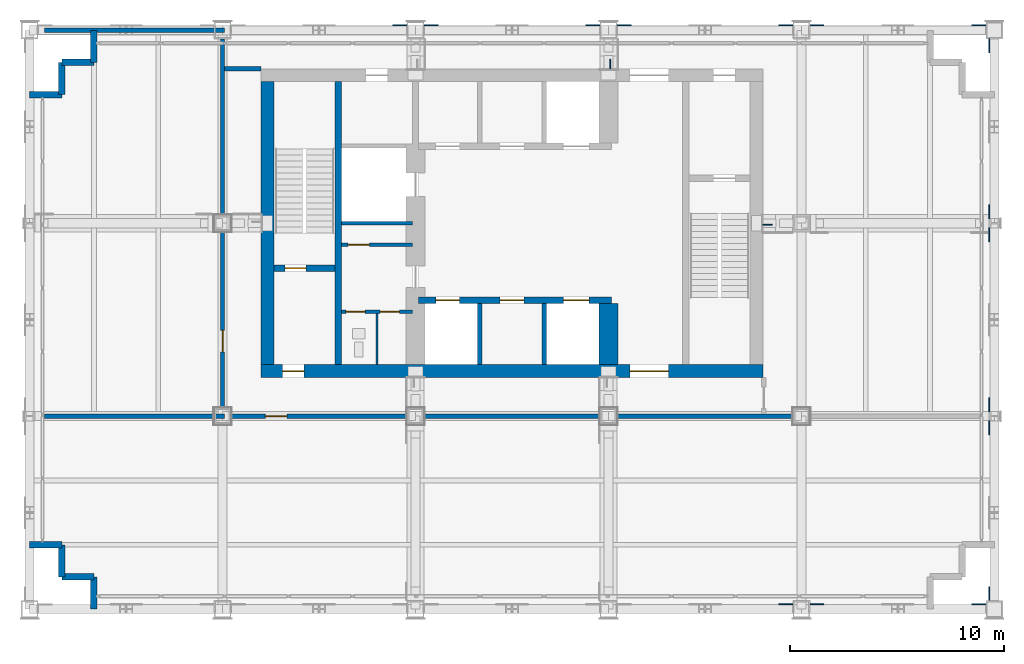
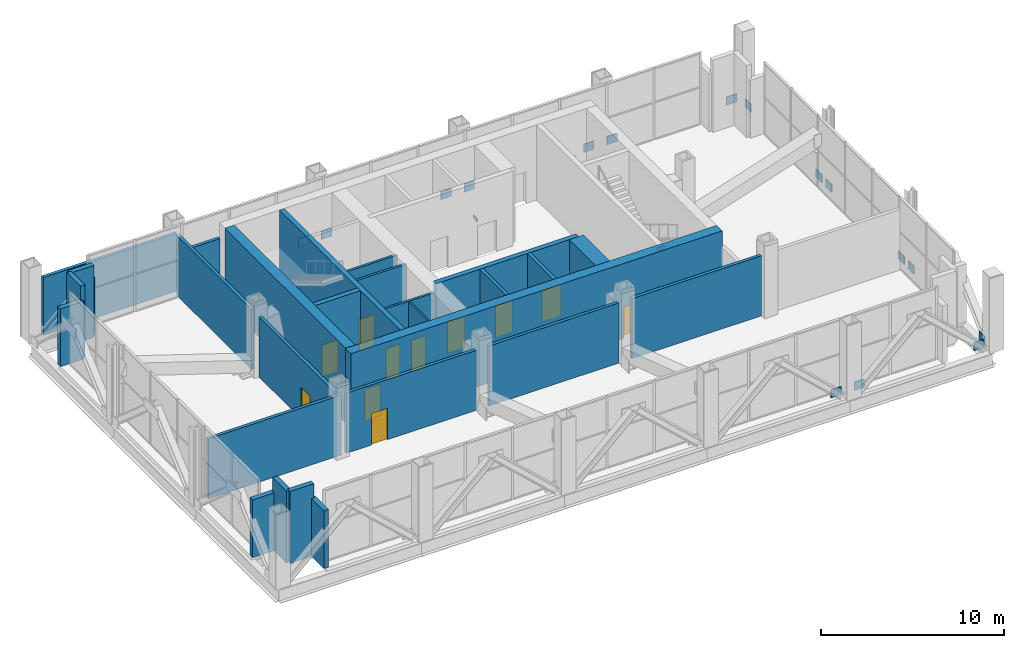
# One storey, part 9 of 13: 28 walls, 18 plates, 11 doors, 11 openings.
"""IFC4 building model written with IfcOpenShell, lengths in metres."""

from ifc_helpers import new_model, si_unit, direction, frame, frame_2d, origin, origin_2d, place, context, subcontext, project, spatial, rectangle, extrude, material, layer, layer_set, type_object, element, fill, save


model = new_model("IFC4")

# Units and contexts
model_context = context("Model", 3, precision=1e-05, world=origin(), true_north=direction((0.0, 1.0)))
body_context = subcontext(model_context, "Body", "Model", "MODEL_VIEW")
ifc_project = project(units=[si_unit("LENGTHUNIT", "METRE"), si_unit("AREAUNIT", "SQUARE_METRE"), si_unit("VOLUMEUNIT", "CUBIC_METRE"), si_unit("PLANEANGLEUNIT", "RADIAN"), si_unit("MASSUNIT", "GRAM", prefix="KILO")], contexts=[model_context])

# Site, building, storey
site_placement = place(None, origin())
site = spatial("IfcSite", under=ifc_project, at=site_placement, CompositionType="ELEMENT")
building_placement = place(site_placement, origin())
building = spatial("IfcBuilding", under=site, at=building_placement, Name="Loomwork Tower", CompositionType="ELEMENT")
storey_placement = place(building_placement, frame((0.0, 0.0, 221.60009765625)))
storey = spatial("IfcBuildingStorey", under=building, at=storey_placement, Name="L61", CompositionType="ELEMENT", Elevation=221.60009765625)

# Plates
ifc_material_1 = material(Name="Steel ASTM A572 Grade 50 plate", Category="steel")
ifc_layer_1 = layer(ifc_material_1, 0.050048828125)
ifc_layer_set_1 = layer_set([ifc_layer_1], Name="OUTRIGGER SHEAR PLATE 50")
plate_type_1 = type_object("IfcPlateType", Name="OUTRIGGER SHEAR PLATE 50", PredefinedType="SHEET", material=ifc_layer_set_1)
for number, where, z_axis, x_axis, name in (
    (1, (34.424560546875, 17.922119140625, -0.669921875), (0.0, 0.0, 1.0), (1.0, 0.0, 0.0), "Outrigger shear plate 36,18-33.9,18 L61"),
    (2, (27.077880859375, 25.424560546875, -0.669921875), (0.0, 0.0, 1.0), (0.0, 1.0, 0.0), "Outrigger shear plate 27,27-27,24.9 L61"),
):
    element("IfcPlate", number, at=place(storey_placement, frame(where, z_axis=z_axis, x_axis=x_axis)), inside=storey, type_object=plate_type_1, Name=name, PredefinedType="SHEET", context=body_context, shape_type="SweptSolid", body=[
        extrude(rectangle(XDim=0.449951171875, YDim=0.050048828125, at=origin_2d()), origin(), (0.0, 0.0, 1.0), 0.239990234375),
    ])
ifc_material_2 = material(Name="Steel ASTM A572 Grade 50 plate", Category="steel")
ifc_layer_2 = layer(ifc_material_2, 0.050048828125)
ifc_layer_set_2 = layer_set([ifc_layer_2], Name="BELT TRUSS PIER GUSSET PLATE 50")
plate_type_2 = type_object("IfcPlateType", Name="BELT TRUSS PIER GUSSET PLATE 50", PredefinedType="SHEET", material=ifc_layer_set_2)
for number, where, z_axis, x_axis, name in (
    (3, (35.27294921875, 0.231689453125, 0.001953125), (0.0, 0.0, 1.0), (1.0, 0.0, 0.0), "Belt truss pier gusset plate D/5-D/6 2 L61"),
    (4, (36.72705078125, 0.231689453125, 0.001953125), (0.0, 0.0, 1.0), (1.0, 0.0, 0.0), "Belt truss pier gusset plate D/6-D/7 1 L61"),
    (5, (44.27294921875, 0.231689453125, 0.001953125), (0.0, 0.0, 1.0), (1.0, 0.0, 0.0), "Belt truss pier gusset plate D/6-D/7 2 L61"),
    (6, (44.768310546875, 0.72705078125, 0.001953125), (0.0, 0.0, 1.0), (0.0, 1.0, 0.0), "Belt truss pier gusset plate D/7-E/7 1 L61"),
    (7, (44.768310546875, 8.459716796875, 0.001953125), (0.0, 0.0, 1.0), (0.0, 1.0, 0.0), "Belt truss pier gusset plate D/7-E/7 2 L61"),
    (8, (44.768310546875, 9.540283203125, 0.001953125), (0.0, 0.0, 1.0), (0.0, 1.0, 0.0), "Belt truss pier gusset plate E/7-F/7 1 L61"),
    (9, (44.768310546875, 17.459716796875, 0.001953125), (0.0, 0.0, 1.0), (0.0, 1.0, 0.0), "Belt truss pier gusset plate E/7-F/7 2 L61"),
    (10, (44.768310546875, 18.540283203125, 0.001953125), (0.0, 0.0, 1.0), (0.0, 1.0, 0.0), "Belt truss pier gusset plate F/7-G/7 1 L61"),
    (11, (44.768310546875, 26.27294921875, 0.001953125), (0.0, 0.0, 1.0), (0.0, 1.0, 0.0), "Belt truss pier gusset plate F/7-G/7 2 L61"),
    (12, (17.27294921875, 27.231689453125, 0.001953125), (0.0, 0.0, 1.0), (1.0, 0.0, 0.0), "Belt truss pier gusset plate G/3-G/4 2 L61"),
    (13, (18.72705078125, 27.231689453125, 0.001953125), (0.0, 0.0, 1.0), (1.0, 0.0, 0.0), "Belt truss pier gusset plate G/4-G/5 1 L61"),
    (14, (26.27294921875, 27.231689453125, 0.001953125), (0.0, 0.0, 1.0), (1.0, 0.0, 0.0), "Belt truss pier gusset plate G/4-G/5 2 L61"),
    (15, (27.72705078125, 27.231689453125, 0.001953125), (0.0, 0.0, 1.0), (1.0, 0.0, 0.0), "Belt truss pier gusset plate G/5-G/6 1 L61"),
    (16, (35.27294921875, 27.231689453125, 0.001953125), (0.0, 0.0, 1.0), (1.0, 0.0, 0.0), "Belt truss pier gusset plate G/5-G/6 2 L61"),
    (17, (36.72705078125, 27.231689453125, 0.001953125), (0.0, 0.0, 1.0), (1.0, 0.0, 0.0), "Belt truss pier gusset plate G/6-G/7 1 L61"),
    (18, (44.27294921875, 27.231689453125, 0.001953125), (0.0, 0.0, 1.0), (1.0, 0.0, 0.0), "Belt truss pier gusset plate G/6-G/7 2 L61"),
):
    element("IfcPlate", number, at=place(storey_placement, frame(where, z_axis=z_axis, x_axis=x_axis)), inside=storey, type_object=plate_type_2, Name=name, PredefinedType="SHEET", context=body_context, shape_type="SweptSolid", body=[
        extrude(rectangle(XDim=0.64990234375, YDim=0.050048828125, at=origin_2d()), origin(), (0.0, 0.0, 1.0), 0.550048828125),
    ])

# Wall
ifc_material_3 = material(Name="Concrete 14000 psi (97 MPa)", Category="concrete")
ifc_layer_3 = layer(ifc_material_3, 0.300048828125)
ifc_layer_set_3 = layer_set([ifc_layer_3], Name="Core shear wall 300")
wall_type_1 = type_object("IfcWallType", Name="Core shear wall 300", PredefinedType="SHEAR", material=ifc_layer_set_3)
wall_1_placement = place(storey_placement, frame((14.39990234375, 11.39990234375, 0.0), z_axis=(0.0, 0.0, 1.0), x_axis=(0.0, 1.0, 0.0)))
element("IfcWall", 19, at=wall_1_placement, inside=storey, type_object=wall_type_1, Name="Stair A east wall L61", PredefinedType="SHEAR", context=body_context, shape_type="SweptSolid", body=[
    extrude(rectangle(XDim=13.2001953125, YDim=0.300048828125, at=frame_2d((6.60009765625, 0.0))), origin(), (0.0, 0.0, 1.0), 5.0),
])

# Wall, opening, door
wall_2_placement = place(storey_placement, frame((11.39990234375, 15.89990234375, 0.0), z_axis=(0.0, 0.0, 1.0), x_axis=(1.0, 0.0, 0.0)))
wall_2 = element("IfcWall", 20, at=wall_2_placement, inside=storey, type_object=wall_type_1, Name="Stair A south wall L61", PredefinedType="SHEAR", context=body_context, shape_type="SweptSolid", body=[
    extrude(rectangle(XDim=2.85009765625, YDim=0.300048828125, at=frame_2d((1.425048828125, 0.0))), origin(), (0.0, 0.0, 1.0), 5.0),
])
opening_1_placement = place(wall_2_placement, frame((0.5, 0.0, 0.0)))
opening_1 = element("IfcOpeningElement", 21, at=opening_1_placement, cuts=wall_2, Name="Opening D4", PredefinedType="OPENING", context=body_context, shape_type="SweptSolid", body=[
    extrude(rectangle(XDim=1.0, YDim=2.10009765625, at=frame_2d((0.5, 1.050048828125))), frame((0.0, 0.159912109375, 0.0), z_axis=(0.0, -1.0, 0.0), x_axis=(1.0, 0.0, 0.0)), (0.0, 0.0, 1.0), 0.320068359375),
])
ifc_material_4 = material(Name="Hollow metal door and frame")
door_type_1 = type_object("IfcDoorType", Name="Stair door 1000", OperationType="SINGLE_SWING_RIGHT", PredefinedType="DOOR", material=ifc_material_4)
door_1_placement = place(opening_1_placement, origin())
door_1 = element("IfcDoor", 22, at=door_1_placement, inside=storey, type_object=door_type_1, Name="Stair A door", OperationType="SINGLE_SWING_LEFT", OverallHeight=2.10009765625, OverallWidth=1.0, PredefinedType="DOOR", context=body_context, shape_type="SweptSolid", body=[
    extrude(rectangle(XDim=1.0, YDim=2.10009765625, at=frame_2d((0.5, 1.050048828125))), frame((0.0, 0.02490234375, 0.0), z_axis=(0.0, -1.0, 0.0), x_axis=(1.0, 0.0, 0.0)), (0.0, 0.0, 1.0), 0.050048828125),
])
fill(opening_1, door_1)

# Wall, openings, doors
wall_3_placement = place(storey_placement, frame((18.14990234375, 14.39990234375, 0.0), z_axis=(0.0, 0.0, 1.0), x_axis=(1.0, 0.0, 0.0)))
wall_3 = element("IfcWall", 23, at=wall_3_placement, inside=storey, type_object=wall_type_1, Name="Lift front wall south L61", PredefinedType="SHEAR", context=body_context, shape_type="SweptSolid", body=[
    extrude(rectangle(XDim=9.0, YDim=0.300048828125, at=frame_2d((4.5, 0.0))), origin(), (0.0, 0.0, 1.0), 5.0),
])
opening_2_placement = place(wall_3_placement, frame((0.800048828125, 0.0, 0.0)))
opening_2 = element("IfcOpeningElement", 24, at=opening_2_placement, cuts=wall_3, Name="Opening LD1", PredefinedType="OPENING", context=body_context, shape_type="SweptSolid", body=[
    extrude(rectangle(XDim=1.10009765625, YDim=2.10009765625, at=frame_2d((0.550048828125, 1.050048828125))), frame((0.0, 0.159912109375, 0.0), z_axis=(0.0, -1.0, 0.0), x_axis=(1.0, 0.0, 0.0)), (0.0, 0.0, 1.0), 0.320068359375),
])
opening_3_placement = place(wall_3_placement, frame((6.75, 0.0, 0.0)))
opening_3 = element("IfcOpeningElement", 25, at=opening_3_placement, cuts=wall_3, Name="Opening LD2", PredefinedType="OPENING", context=body_context, shape_type="SweptSolid", body=[
    extrude(rectangle(XDim=1.199951171875, YDim=2.10009765625, at=frame_2d((0.60009765625, 1.050048828125))), frame((0.0, 0.159912109375, 0.0), z_axis=(0.0, -1.0, 0.0), x_axis=(1.0, 0.0, 0.0)), (0.0, 0.0, 1.0), 0.320068359375),
])
opening_4_placement = place(wall_3_placement, frame((3.800048828125, 0.0, 0.0)))
opening_4 = element("IfcOpeningElement", 26, at=opening_4_placement, cuts=wall_3, Name="Opening D17", PredefinedType="OPENING", context=body_context, shape_type="SweptSolid", body=[
    extrude(rectangle(XDim=1.10009765625, YDim=2.10009765625, at=frame_2d((0.550048828125, 1.050048828125))), frame((0.0, 0.159912109375, 0.0), z_axis=(0.0, -1.0, 0.0), x_axis=(1.0, 0.0, 0.0)), (0.0, 0.0, 1.0), 0.320068359375),
])
ifc_material_5 = material(Name="Hollow metal door and frame")
door_type_2 = type_object("IfcDoorType", Name="Lift landing door 1100", OperationType="SLIDING_TO_LEFT", PredefinedType="DOOR", material=ifc_material_5)
door_2_placement = place(opening_2_placement, origin())
door_2 = element("IfcDoor", 27, at=door_2_placement, inside=storey, type_object=door_type_2, Name="Lift landing door LC1", OperationType="SLIDING_TO_LEFT", OverallHeight=2.10009765625, OverallWidth=1.10009765625, PredefinedType="DOOR", context=body_context, shape_type="SweptSolid", body=[
    extrude(rectangle(XDim=1.10009765625, YDim=2.10009765625, at=frame_2d((0.550048828125, 1.050048828125))), frame((0.0, 0.02490234375, 0.0), z_axis=(0.0, -1.0, 0.0), x_axis=(1.0, 0.0, 0.0)), (0.0, 0.0, 1.0), 0.050048828125),
])
fill(opening_2, door_2)
ifc_material_6 = material(Name="Hollow metal door and frame")
door_type_3 = type_object("IfcDoorType", Name="Lift landing door 1200", OperationType="SLIDING_TO_LEFT", PredefinedType="DOOR", material=ifc_material_6)
door_3_placement = place(opening_3_placement, origin())
door_3 = element("IfcDoor", 28, at=door_3_placement, inside=storey, type_object=door_type_3, Name="Lift landing door LF1", OperationType="SLIDING_TO_LEFT", OverallHeight=2.10009765625, OverallWidth=1.199951171875, PredefinedType="DOOR", context=body_context, shape_type="SweptSolid", body=[
    extrude(rectangle(XDim=1.199951171875, YDim=2.10009765625, at=frame_2d((0.60009765625, 1.050048828125))), frame((0.0, 0.02490234375, 0.0), z_axis=(0.0, -1.0, 0.0), x_axis=(1.0, 0.0, 0.0)), (0.0, 0.0, 1.0), 0.050048828125),
])
fill(opening_3, door_3)
ifc_material_7 = material(Name="Hollow metal door and frame")
door_type_4 = type_object("IfcDoorType", Name="Service room door 1100", OperationType="SINGLE_SWING_LEFT", PredefinedType="DOOR", material=ifc_material_7)
door_4_placement = place(opening_4_placement, frame((1.10009765625, 0.0, 0.0), z_axis=(0.0, 0.0, 1.0), x_axis=(-1.0, 0.0, 0.0)))
door_4 = element("IfcDoor", 29, at=door_4_placement, inside=storey, type_object=door_type_4, Name="Mechanical controls room door L61", OperationType="SINGLE_SWING_RIGHT", OverallHeight=2.10009765625, OverallWidth=1.10009765625, PredefinedType="DOOR", context=body_context, shape_type="SweptSolid", body=[
    extrude(rectangle(XDim=1.10009765625, YDim=2.10009765625, at=frame_2d((0.550048828125, 1.050048828125))), frame((0.0, 0.02490234375, 0.0), z_axis=(0.0, -1.0, 0.0), x_axis=(1.0, 0.0, 0.0)), (0.0, 0.0, 1.0), 0.050048828125),
])
fill(opening_4, door_4)

ifc_material_8 = material(Name="Concrete 14000 psi (97 MPa)", Category="concrete")
ifc_layer_4 = layer(ifc_material_8, 0.60009765625)
ifc_layer_set_4 = layer_set([ifc_layer_4], Name="Core shear wall 600")
wall_type_2 = type_object("IfcWallType", Name="Core shear wall 600", PredefinedType="SHEAR", material=ifc_layer_set_4)
wall_4_placement = place(storey_placement, frame((10.800048828125, 11.10009765625, 0.0), z_axis=(0.0, 0.0, 1.0), x_axis=(1.0, 0.0, 0.0)))
wall_4 = element("IfcWall", 30, at=wall_4_placement, inside=storey, type_object=wall_type_2, Name="Core wall south L61", PredefinedType="SHEAR", context=body_context, shape_type="SweptSolid", body=[
    extrude(rectangle(XDim=23.39990234375, YDim=0.60009765625, at=frame_2d((11.699951171875, 0.0))), origin(), (0.0, 0.0, 1.0), 5.0),
])
opening_5_placement = place(wall_4_placement, frame((1.0, 0.0, 0.0)))
opening_5 = element("IfcOpeningElement", 31, at=opening_5_placement, cuts=wall_4, Name="Opening D4", PredefinedType="OPENING", context=body_context, shape_type="SweptSolid", body=[
    extrude(rectangle(XDim=1.0, YDim=2.10009765625, at=frame_2d((0.5, 1.050048828125))), frame((0.0, 0.31005859375, 0.0), z_axis=(0.0, -1.0, 0.0), x_axis=(1.0, 0.0, 0.0)), (0.0, 0.0, 1.0), 0.6201171875),
])
opening_6_placement = place(wall_4_placement, frame((17.199951171875, 0.0, 0.0)))
opening_6 = element("IfcOpeningElement", 32, at=opening_6_placement, cuts=wall_4, Name="Opening D6", PredefinedType="OPENING", context=body_context, shape_type="SweptSolid", body=[
    extrude(rectangle(XDim=1.800048828125, YDim=2.10009765625, at=frame_2d((0.89990234375, 1.050048828125))), frame((0.0, 0.31005859375, 0.0), z_axis=(0.0, -1.0, 0.0), x_axis=(1.0, 0.0, 0.0)), (0.0, 0.0, 1.0), 0.6201171875),
])
ifc_material_9 = material(Name="Hollow metal door and frame")
door_type_5 = type_object("IfcDoorType", Name="Lobby passage double door 1800", OperationType="DOUBLE_DOOR_SINGLE_SWING", PredefinedType="DOOR", material=ifc_material_9)
door_5_placement = place(opening_6_placement, origin())
door_5 = element("IfcDoor", 33, at=door_5_placement, inside=storey, type_object=door_type_5, Name="Lobby passage door south", OperationType="DOUBLE_DOOR_SINGLE_SWING", OverallHeight=2.10009765625, OverallWidth=1.800048828125, PredefinedType="DOOR", context=body_context, shape_type="SweptSolid", body=[
    extrude(rectangle(XDim=1.800048828125, YDim=2.10009765625, at=frame_2d((0.89990234375, 1.050048828125))), frame((0.0, 0.02490234375, 0.0), z_axis=(0.0, -1.0, 0.0), x_axis=(1.0, 0.0, 0.0)), (0.0, 0.0, 1.0), 0.050048828125),
])
fill(opening_6, door_5)
door_6_placement = place(opening_5_placement, origin())
door_6 = element("IfcDoor", 34, at=door_6_placement, inside=storey, type_object=door_type_1, Name="Stair A vestibule door", OperationType="SINGLE_SWING_LEFT", OverallHeight=2.10009765625, OverallWidth=1.0, PredefinedType="DOOR", context=body_context, shape_type="SweptSolid", body=[
    extrude(rectangle(XDim=1.0, YDim=2.10009765625, at=frame_2d((0.5, 1.050048828125))), frame((0.0, 0.02490234375, 0.0), z_axis=(0.0, -1.0, 0.0), x_axis=(1.0, 0.0, 0.0)), (0.0, 0.0, 1.0), 0.050048828125),
])
fill(opening_5, door_6)

# Walls
wall_5_placement = place(storey_placement, frame((11.10009765625, 11.39990234375, 0.0), z_axis=(0.0, 0.0, 1.0), x_axis=(0.0, 1.0, 0.0)))
element("IfcWall", 35, at=wall_5_placement, inside=storey, type_object=wall_type_2, Name="Core wall west L61", PredefinedType="SHEAR", context=body_context, shape_type="SweptSolid", body=[
    extrude(rectangle(XDim=13.2001953125, YDim=0.60009765625, at=frame_2d((6.60009765625, 0.0))), origin(), (0.0, 0.0, 1.0), 5.0),
])
ifc_material_10 = material(Name="Concrete 14000 psi (97 MPa)", Category="concrete")
ifc_layer_5 = layer(ifc_material_10, 0.89990234375)
ifc_layer_set_5 = layer_set([ifc_layer_5], Name="Core shear wall 900")
wall_type_3 = type_object("IfcWallType", Name="Core shear wall 900", PredefinedType="SHEAR", material=ifc_layer_set_5)
wall_6_placement = place(storey_placement, frame((27.0, 11.39990234375, 0.0), z_axis=(0.0, 0.0, 1.0), x_axis=(0.0, 1.0, 0.0)))
element("IfcWall", 36, at=wall_6_placement, inside=storey, type_object=wall_type_3, Name="Lift shaft end wall south L61", PredefinedType="SHEAR", context=body_context, shape_type="SweptSolid", body=[
    extrude(rectangle(XDim=2.85009765625, YDim=0.89990234375, at=frame_2d((1.425048828125, 0.0))), origin(), (0.0, 0.0, 1.0), 5.0),
])

# Wall, opening, door
ifc_material_11 = material(Name="Gypsum board on steel studs, one-hour", Category="steel")
ifc_layer_6 = layer(ifc_material_11, 0.199951171875)
ifc_layer_set_6 = layer_set([ifc_layer_6], Name="Corridor wall 200")
wall_type_4 = type_object("IfcWallType", Name="Corridor wall 200", PredefinedType="PARTITIONING", material=ifc_layer_set_6)
wall_7_placement = place(storey_placement, frame((9.39990234375, 9.0, 0.0), z_axis=(0.0, 0.0, 1.0), x_axis=(1.0, 0.0, 0.0)))
wall_7 = element("IfcWall", 37, at=wall_7_placement, inside=storey, type_object=wall_type_4, Name="Plant corridor wall S 1", PredefinedType="PARTITIONING", context=body_context, shape_type="SweptSolid", body=[
    extrude(rectangle(XDim=8.2001953125, YDim=0.199951171875, at=frame_2d((4.10009765625, 0.0))), origin(), (0.0, 0.0, 1.0), 4.0048828125),
])
opening_7_placement = place(wall_7_placement, frame((1.60009765625, 0.0, 0.0)))
opening_7 = element("IfcOpeningElement", 38, at=opening_7_placement, cuts=wall_7, Name="Opening D18", PredefinedType="OPENING", context=body_context, shape_type="SweptSolid", body=[
    extrude(rectangle(XDim=1.0, YDim=2.10009765625, at=frame_2d((0.5, 1.050048828125))), frame((0.0, 0.10986328125, 0.0), z_axis=(0.0, -1.0, 0.0), x_axis=(1.0, 0.0, 0.0)), (0.0, 0.0, 1.0), 0.219970703125),
])
ifc_material_12 = material(Name="Hollow metal door and frame")
door_type_6 = type_object("IfcDoorType", Name="Ninety-minute service door 1000", OperationType="SINGLE_SWING_LEFT", PredefinedType="DOOR", material=ifc_material_12)
door_7_placement = place(opening_7_placement, frame((1.0, 0.0, 0.0), z_axis=(0.0, 0.0, 1.0), x_axis=(-1.0, 0.0, 0.0)))
door_7 = element("IfcDoor", 39, at=door_7_placement, inside=storey, type_object=door_type_6, Name="Air handling plant room door", OperationType="SINGLE_SWING_RIGHT", OverallHeight=2.10009765625, OverallWidth=1.0, PredefinedType="DOOR", context=body_context, shape_type="SweptSolid", body=[
    extrude(rectangle(XDim=1.0, YDim=2.10009765625, at=frame_2d((0.5, 1.050048828125))), frame((0.0, 0.02490234375, 0.0), z_axis=(0.0, -1.0, 0.0), x_axis=(1.0, 0.0, 0.0)), (0.0, 0.0, 1.0), 0.050048828125),
])
fill(opening_7, door_7)

# Walls
for number, where, z_axis, x_axis, name in (
    (40, (18.39990234375, 9.0, 0.0), (0.0, 0.0, 1.0), (1.0, 0.0, 0.0), "Plant corridor wall S 2"),
    (41, (27.39990234375, 9.0, 0.0), (0.0, 0.0, 1.0), (1.0, 0.0, 0.0), "Plant corridor wall S 3"),
):
    element("IfcWall", number, at=place(storey_placement, frame(where, z_axis=z_axis, x_axis=x_axis)), inside=storey, type_object=wall_type_4, Name=name, PredefinedType="PARTITIONING", context=body_context, shape_type="SweptSolid", body=[
        extrude(rectangle(XDim=8.2001953125, YDim=0.199951171875, at=frame_2d((4.10009765625, 0.0))), origin(), (0.0, 0.0, 1.0), 4.0048828125),
    ])
wall_8_placement = place(storey_placement, frame((9.10009765625, 25.199951171875, 0.0), z_axis=(0.0, 0.0, 1.0), x_axis=(1.0, 0.0, 0.0)))
element("IfcWall", 42, at=wall_8_placement, inside=storey, type_object=wall_type_4, Name="Plant corridor end wall N 1", PredefinedType="PARTITIONING", context=body_context, shape_type="SweptSolid", body=[
    extrude(rectangle(XDim=1.699951171875, YDim=0.199951171875, at=frame_2d((0.85009765625, 0.0))), origin(), (0.0, 0.0, 1.0), 4.00390625),
])
ifc_material_13 = material(Name="Cement board on steel studs", Category="steel")
ifc_layer_7 = layer(ifc_material_13, 0.10009765625)
ifc_layer_set_7 = layer_set([ifc_layer_7], Name="En-suite partition 100")
wall_type_5 = type_object("IfcWallType", Name="En-suite partition 100", PredefinedType="PARTITIONING", material=ifc_layer_set_7)
wall_9_placement = place(storey_placement, frame((16.199951171875, 11.39990234375, 0.0), z_axis=(0.0, 0.0, 1.0), x_axis=(0.0, 1.0, 0.0)))
element("IfcWall", 43, at=wall_9_placement, inside=storey, type_object=wall_type_5, Name="Back-of-house partition L61 2", PredefinedType="PARTITIONING", context=body_context, shape_type="SweptSolid", body=[
    extrude(rectangle(XDim=2.400146484375, YDim=0.10009765625, at=frame_2d((1.2001953125, 0.0))), origin(), (0.0, 0.0, 1.0), 4.7998046875),
])
ifc_material_14 = material(Name="Concrete 14000 psi (97 MPa)", Category="concrete")
ifc_layer_8 = layer(ifc_material_14, 0.199951171875)
ifc_layer_set_8 = layer_set([ifc_layer_8], Name="Lift shaft wall 200")
wall_type_6 = type_object("IfcWallType", Name="Lift shaft wall 200", PredefinedType="SHEAR", material=ifc_layer_set_8)
for number, where, z_axis, x_axis, name in (
    (44, (21.0, 11.39990234375, 0.0), (0.0, 0.0, 1.0), (0.0, 1.0, 0.0), "Lift shaft separation wall south 1 L61"),
    (45, (24.0, 11.39990234375, 0.0), (0.0, 0.0, 1.0), (0.0, 1.0, 0.0), "Lift shaft separation wall south 2 L61"),
):
    element("IfcWall", number, at=place(storey_placement, frame(where, z_axis=z_axis, x_axis=x_axis)), inside=storey, type_object=wall_type_6, Name=name, PredefinedType="SHEAR", context=body_context, shape_type="SweptSolid", body=[
        extrude(rectangle(XDim=2.85009765625, YDim=0.199951171875, at=frame_2d((1.425048828125, 0.0))), origin(), (0.0, 0.0, 1.0), 5.0),
    ])
ifc_material_15 = material(Name="Limestone on concrete masonry", Category="masonry")
ifc_layer_9 = layer(ifc_material_15, 0.300048828125)
ifc_layer_set_9 = layer_set([ifc_layer_9], Name="Limestone corner wall 300")
wall_type_7 = type_object("IfcWallType", Name="Limestone corner wall 300", PredefinedType="SOLIDWALL", material=ifc_layer_set_9)
wall_10_placement = place(storey_placement, frame((3.0, 27.0, 0.0), z_axis=(0.0, 0.0, 1.0), x_axis=(0.0, -1.0, 0.0)))
element("IfcWall", 46, at=wall_10_placement, inside=storey, type_object=wall_type_7, Name="Stone corner wall NW 1", PredefinedType="SOLIDWALL", context=body_context, shape_type="SweptSolid", body=[
    extrude(rectangle(XDim=1.5, YDim=0.300048828125, at=frame_2d((0.75, 0.0))), origin(), (0.0, 0.0, 1.0), 3.851806640625),
])
for number, where, z_axis, x_axis, name in (
    (47, (3.0, 25.5, 0.0), (0.0, 0.0, 1.0), (-1.0, 0.0, 0.0), "Stone corner wall NW 2"),
    (48, (1.5, 25.5, 0.0), (0.0, 0.0, 1.0), (0.0, -1.0, 0.0), "Stone corner wall NW 3"),
):
    element("IfcWall", number, at=place(storey_placement, frame(where, z_axis=z_axis, x_axis=x_axis)), inside=storey, type_object=wall_type_7, Name=name, PredefinedType="SOLIDWALL", context=body_context, shape_type="SweptSolid", body=[
        extrude(rectangle(XDim=1.5, YDim=0.300048828125, at=frame_2d((0.75, 0.0))), origin(), (0.0, 0.0, 1.0), 4.7998046875),
    ])
for number, where, z_axis, x_axis, name in (
    (49, (1.5, 24.0, 0.0), (0.0, 0.0, 1.0), (-1.0, 0.0, 0.0), "Stone corner wall NW 4"),
    (50, (0.0, 3.0, 0.0), (0.0, 0.0, 1.0), (1.0, 0.0, 0.0), "Stone corner wall SW 1"),
):
    element("IfcWall", number, at=place(storey_placement, frame(where, z_axis=z_axis, x_axis=x_axis)), inside=storey, type_object=wall_type_7, Name=name, PredefinedType="SOLIDWALL", context=body_context, shape_type="SweptSolid", body=[
        extrude(rectangle(XDim=1.5, YDim=0.300048828125, at=frame_2d((0.75, 0.0))), origin(), (0.0, 0.0, 1.0), 3.851806640625),
    ])
for number, where, z_axis, x_axis, name in (
    (51, (1.5, 3.0, 0.0), (0.0, 0.0, 1.0), (0.0, -1.0, 0.0), "Stone corner wall SW 2"),
    (52, (1.5, 1.5, 0.0), (0.0, 0.0, 1.0), (1.0, 0.0, 0.0), "Stone corner wall SW 3"),
):
    element("IfcWall", number, at=place(storey_placement, frame(where, z_axis=z_axis, x_axis=x_axis)), inside=storey, type_object=wall_type_7, Name=name, PredefinedType="SOLIDWALL", context=body_context, shape_type="SweptSolid", body=[
        extrude(rectangle(XDim=1.5, YDim=0.300048828125, at=frame_2d((0.75, 0.0))), origin(), (0.0, 0.0, 1.0), 4.7998046875),
    ])
wall_11_placement = place(storey_placement, frame((3.0, 1.5, 0.0), z_axis=(0.0, 0.0, 1.0), x_axis=(0.0, -1.0, 0.0)))
element("IfcWall", 53, at=wall_11_placement, inside=storey, type_object=wall_type_7, Name="Stone corner wall SW 4", PredefinedType="SOLIDWALL", context=body_context, shape_type="SweptSolid", body=[
    extrude(rectangle(XDim=1.5, YDim=0.300048828125, at=frame_2d((0.75, 0.0))), origin(), (0.0, 0.0, 1.0), 3.851806640625),
])
ifc_material_16 = material(Name="Gypsum board on steel studs", Category="steel")
ifc_layer_10 = layer(ifc_material_16, 0.14990234375)
ifc_layer_set_10 = layer_set([ifc_layer_10], Name="Partition 150 two-hour")
wall_type_8 = type_object("IfcWallType", Name="Partition 150 two-hour", PredefinedType="PARTITIONING", material=ifc_layer_set_10)
wall_12_placement = place(storey_placement, frame((14.550048828125, 18.0, 0.0), z_axis=(0.0, 0.0, 1.0), x_axis=(1.0, 0.0, 0.0)))
element("IfcWall", 54, at=wall_12_placement, inside=storey, type_object=wall_type_8, Name="Back-of-house dividing wall L61", PredefinedType="PARTITIONING", context=body_context, shape_type="SweptSolid", body=[
    extrude(rectangle(XDim=3.300048828125, YDim=0.14990234375, at=frame_2d((1.64990234375, 0.0))), origin(), (0.0, 0.0, 1.0), 4.7998046875),
])

# Wall, opening, door
ifc_material_17 = material(Name="Gypsum board on steel studs, two-hour", Category="steel")
ifc_layer_11 = layer(ifc_material_17, 0.199951171875)
ifc_layer_set_11 = layer_set([ifc_layer_11], Name="Refuge enclosure wall 200")
wall_type_9 = type_object("IfcWallType", Name="Refuge enclosure wall 200", PredefinedType="PARTITIONING", material=ifc_layer_set_11)
wall_13_placement = place(storey_placement, frame((9.0, 9.39990234375, 0.0), z_axis=(0.0, 0.0, 1.0), x_axis=(0.0, 1.0, 0.0)))
wall_13 = element("IfcWall", 55, at=wall_13_placement, inside=storey, type_object=wall_type_9, Name="Refuge area wall 1", PredefinedType="PARTITIONING", context=body_context, shape_type="SweptSolid", body=[
    extrude(rectangle(XDim=8.2001953125, YDim=0.199951171875, at=frame_2d((4.10009765625, 0.0))), origin(), (0.0, 0.0, 1.0), 4.0048828125),
])
opening_8_placement = place(wall_13_placement, frame((2.60009765625, 0.0, 0.0)))
opening_8 = element("IfcOpeningElement", 56, at=opening_8_placement, cuts=wall_13, Name="Opening D4", PredefinedType="OPENING", context=body_context, shape_type="SweptSolid", body=[
    extrude(rectangle(XDim=1.0, YDim=2.10009765625, at=frame_2d((0.5, 1.050048828125))), frame((0.0, 0.10986328125, 0.0), z_axis=(0.0, -1.0, 0.0), x_axis=(1.0, 0.0, 0.0)), (0.0, 0.0, 1.0), 0.219970703125),
])
door_8_placement = place(opening_8_placement, origin())
door_8 = element("IfcDoor", 57, at=door_8_placement, inside=storey, type_object=door_type_1, Name="Refuge area door", OperationType="SINGLE_SWING_LEFT", OverallHeight=2.10009765625, OverallWidth=1.0, PredefinedType="DOOR", context=body_context, shape_type="SweptSolid", body=[
    extrude(rectangle(XDim=1.0, YDim=2.10009765625, at=frame_2d((0.5, 1.050048828125))), frame((0.0, 0.02490234375, 0.0), z_axis=(0.0, -1.0, 0.0), x_axis=(1.0, 0.0, 0.0)), (0.0, 0.0, 1.0), 0.050048828125),
])
fill(opening_8, door_8)

# Walls
wall_14_placement = place(storey_placement, frame((9.0, 18.39990234375, 0.0), z_axis=(0.0, 0.0, 1.0), x_axis=(0.0, 1.0, 0.0)))
element("IfcWall", 58, at=wall_14_placement, inside=storey, type_object=wall_type_9, Name="Refuge area wall 2", PredefinedType="PARTITIONING", context=body_context, shape_type="SweptSolid", body=[
    extrude(rectangle(XDim=8.2001953125, YDim=0.199951171875, at=frame_2d((4.10009765625, 0.0))), origin(), (0.0, 0.0, 1.0), 4.0048828125),
])
wall_15_placement = place(storey_placement, frame((0.699951171875, 9.0, 0.0), z_axis=(0.0, 0.0, 1.0), x_axis=(1.0, 0.0, 0.0)))
element("IfcWall", 59, at=wall_15_placement, inside=storey, type_object=wall_type_9, Name="Refuge area wall S", PredefinedType="PARTITIONING", context=body_context, shape_type="SweptSolid", body=[
    extrude(rectangle(XDim=8.400146484375, YDim=0.199951171875, at=frame_2d((4.2001953125, 0.0))), origin(), (0.0, 0.0, 1.0), 4.0048828125),
])
wall_16_placement = place(storey_placement, frame((0.699951171875, 27.0, 0.0), z_axis=(0.0, 0.0, 1.0), x_axis=(1.0, 0.0, 0.0)))
element("IfcWall", 60, at=wall_16_placement, inside=storey, type_object=wall_type_9, Name="Refuge area wall N", PredefinedType="PARTITIONING", context=body_context, shape_type="SweptSolid", body=[
    extrude(rectangle(XDim=8.400146484375, YDim=0.199951171875, at=frame_2d((4.2001953125, 0.0))), origin(), (0.0, 0.0, 1.0), 3.8525390625),
])

# Wall, opening, door
ifc_material_18 = material(Name="Gypsum board on steel studs, one-hour", Category="steel")
ifc_layer_12 = layer(ifc_material_18, 0.14990234375)
ifc_layer_set_12 = layer_set([ifc_layer_12], Name="Service partition 150")
wall_type_10 = type_object("IfcWallType", Name="Service partition 150", PredefinedType="PARTITIONING", material=ifc_layer_set_12)
wall_17_placement = place(storey_placement, frame((14.550048828125, 17.0, 0.0), z_axis=(0.0, 0.0, 1.0), x_axis=(1.0, 0.0, 0.0)))
wall_17 = element("IfcWall", 61, at=wall_17_placement, inside=storey, type_object=wall_type_10, Name="Riser enclosure L61", PredefinedType="PARTITIONING", context=body_context, shape_type="SweptSolid", body=[
    extrude(rectangle(XDim=3.300048828125, YDim=0.14990234375, at=frame_2d((1.64990234375, 0.0))), origin(), (0.0, 0.0, 1.0), 4.7998046875),
])
opening_9_placement = place(wall_17_placement, frame((0.300048828125, 0.0, 0.0)))
opening_9 = element("IfcOpeningElement", 62, at=opening_9_placement, cuts=wall_17, Name="Opening D18", PredefinedType="OPENING", context=body_context, shape_type="SweptSolid", body=[
    extrude(rectangle(XDim=1.0, YDim=2.10009765625, at=frame_2d((0.5, 1.050048828125))), frame((0.0, 0.0849609375, 0.0), z_axis=(0.0, -1.0, 0.0), x_axis=(1.0, 0.0, 0.0)), (0.0, 0.0, 1.0), 0.169921875),
])
door_9_placement = place(opening_9_placement, frame((1.0, 0.0, 0.0), z_axis=(0.0, 0.0, 1.0), x_axis=(-1.0, 0.0, 0.0)))
door_9 = element("IfcDoor", 63, at=door_9_placement, inside=storey, type_object=door_type_6, Name="Riser access door", OperationType="SINGLE_SWING_RIGHT", OverallHeight=2.10009765625, OverallWidth=1.0, PredefinedType="DOOR", context=body_context, shape_type="SweptSolid", body=[
    extrude(rectangle(XDim=1.0, YDim=2.10009765625, at=frame_2d((0.5, 1.050048828125))), frame((0.0, 0.02490234375, 0.0), z_axis=(0.0, -1.0, 0.0), x_axis=(1.0, 0.0, 0.0)), (0.0, 0.0, 1.0), 0.050048828125),
])
fill(opening_9, door_9)

# Wall, openings, doors
wall_18_placement = place(storey_placement, frame((14.550048828125, 13.875, 0.0), z_axis=(0.0, 0.0, 1.0), x_axis=(1.0, 0.0, 0.0)))
wall_18 = element("IfcWall", 64, at=wall_18_placement, inside=storey, type_object=wall_type_10, Name="Back-of-house partition L61", PredefinedType="PARTITIONING", context=body_context, shape_type="SweptSolid", body=[
    extrude(rectangle(XDim=3.300048828125, YDim=0.14990234375, at=frame_2d((1.64990234375, 0.0))), origin(), (0.0, 0.0, 1.0), 4.7998046875),
])
opening_10_placement = place(wall_18_placement, frame((0.199951171875, 0.0, 0.0)))
opening_10 = element("IfcOpeningElement", 65, at=opening_10_placement, cuts=wall_18, Name="Opening D20", PredefinedType="OPENING", context=body_context, shape_type="SweptSolid", body=[
    extrude(rectangle(XDim=0.89990234375, YDim=2.10009765625, at=frame_2d((0.449951171875, 1.050048828125))), frame((0.0, 0.0849609375, 0.0), z_axis=(0.0, -1.0, 0.0), x_axis=(1.0, 0.0, 0.0)), (0.0, 0.0, 1.0), 0.169921875),
])
opening_11_placement = place(wall_18_placement, frame((1.800048828125, 0.0, 0.0)))
opening_11 = element("IfcOpeningElement", 66, at=opening_11_placement, cuts=wall_18, Name="Opening D20", PredefinedType="OPENING", context=body_context, shape_type="SweptSolid", body=[
    extrude(rectangle(XDim=0.89990234375, YDim=2.10009765625, at=frame_2d((0.449951171875, 1.050048828125))), frame((0.0, 0.0849609375, 0.0), z_axis=(0.0, -1.0, 0.0), x_axis=(1.0, 0.0, 0.0)), (0.0, 0.0, 1.0), 0.169921875),
])
ifc_material_19 = material(Name="Hollow metal door and frame")
door_type_7 = type_object("IfcDoorType", Name="Back-of-house door 900", OperationType="SINGLE_SWING_LEFT", PredefinedType="DOOR", material=ifc_material_19)
door_10_placement = place(opening_10_placement, frame((0.89990234375, 0.0, 0.0), z_axis=(0.0, 0.0, 1.0), x_axis=(-1.0, 0.0, 0.0)))
door_10 = element("IfcDoor", 67, at=door_10_placement, inside=storey, type_object=door_type_7, Name="Back-of-house room door", OperationType="SINGLE_SWING_RIGHT", OverallHeight=2.10009765625, OverallWidth=0.89990234375, PredefinedType="DOOR", context=body_context, shape_type="SweptSolid", body=[
    extrude(rectangle(XDim=0.89990234375, YDim=2.10009765625, at=frame_2d((0.449951171875, 1.050048828125))), frame((0.0, 0.02490234375, 0.0), z_axis=(0.0, -1.0, 0.0), x_axis=(1.0, 0.0, 0.0)), (0.0, 0.0, 1.0), 0.050048828125),
])
fill(opening_10, door_10)
door_11_placement = place(opening_11_placement, frame((0.89990234375, 0.0, 0.0), z_axis=(0.0, 0.0, 1.0), x_axis=(-1.0, 0.0, 0.0)))
door_11 = element("IfcDoor", 68, at=door_11_placement, inside=storey, type_object=door_type_7, Name="Back-of-house room door", OperationType="SINGLE_SWING_RIGHT", OverallHeight=2.10009765625, OverallWidth=0.89990234375, PredefinedType="DOOR", context=body_context, shape_type="SweptSolid", body=[
    extrude(rectangle(XDim=0.89990234375, YDim=2.10009765625, at=frame_2d((0.449951171875, 1.050048828125))), frame((0.0, 0.02490234375, 0.0), z_axis=(0.0, -1.0, 0.0), x_axis=(1.0, 0.0, 0.0)), (0.0, 0.0, 1.0), 0.050048828125),
])
fill(opening_11, door_11)

save(model, "model.ifc")
